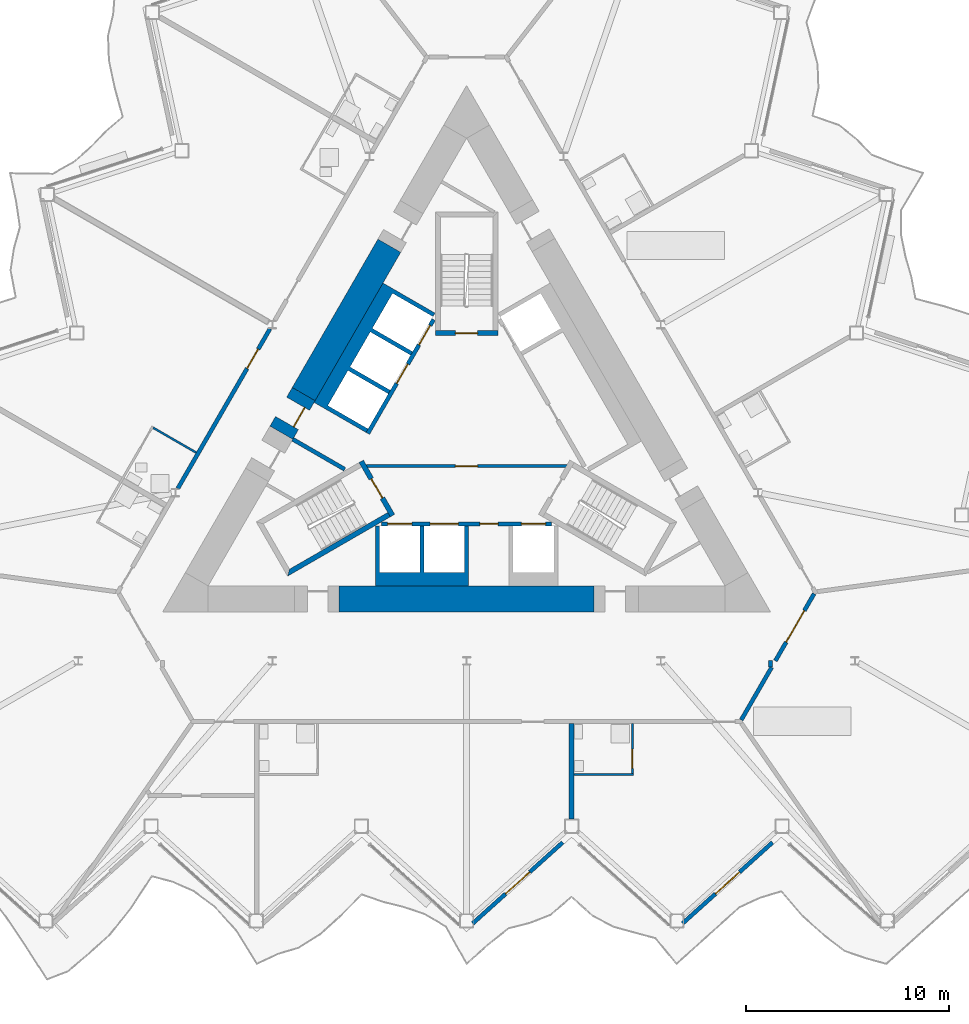
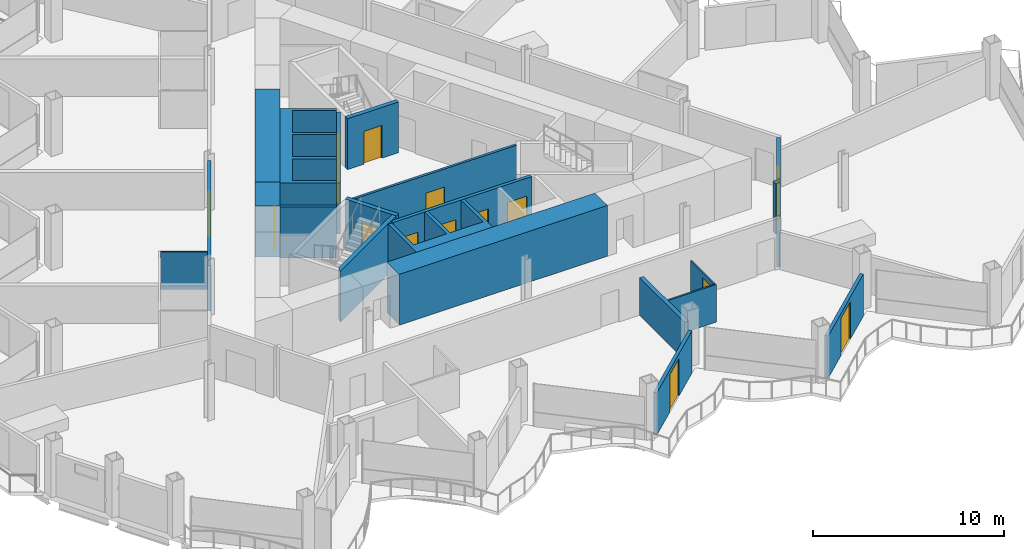
# One storey, part 12 of 23: 22 walls, 15 doors, 15 openings.
"""IFC4 building model written with IfcOpenShell, lengths in metres."""

from ifc_helpers import new_model, si_unit, direction, frame, frame_2d, origin, place, context, subcontext, project, spatial, polyline, rectangle, outline, extrude, material, layer, layer_set, type_object, element, fill, save


model = new_model("IFC4")

# Units and contexts
model_context = context("Model", 3, precision=1e-05, world=origin(), true_north=direction((0.0, 1.0)))
body_context = subcontext(model_context, "Body", "Model", "MODEL_VIEW")
ifc_project = project(units=[si_unit("LENGTHUNIT", "METRE"), si_unit("AREAUNIT", "SQUARE_METRE"), si_unit("VOLUMEUNIT", "CUBIC_METRE"), si_unit("PLANEANGLEUNIT", "RADIAN"), si_unit("MASSUNIT", "GRAM", prefix="KILO")], contexts=[model_context])

# Site, building, storey
site_placement = place(None, origin())
site = spatial("IfcSite", under=ifc_project, at=site_placement, CompositionType="ELEMENT")
building_placement = place(site_placement, origin())
building = spatial("IfcBuilding", under=site, at=building_placement, Name="Cormorant Prow Tower", CompositionType="ELEMENT")
storey_placement = place(building_placement, frame((0.0, 0.0, 245.39990234375)))
storey = spatial("IfcBuildingStorey", under=building, at=storey_placement, Name="L54", CompositionType="ELEMENT", Elevation=245.39990234375)

# Wall, opening, door
ifc_material_1 = material(Name="Gypsum board partition")
ifc_layer_1 = layer(ifc_material_1, 0.14990234375)
ifc_layer_set_1 = layer_set([ifc_layer_1], Name="Gypsum board partition")
wall_type_1 = type_object("IfcWallType", Name="Core partition 150", PredefinedType="PARTITIONING", material=ifc_layer_set_1)
wall_1_placement = place(storey_placement, frame((-4.941162109375, -1.449951171875, 0.0), z_axis=(0.0, 0.0, 1.0), x_axis=(1.0, 0.0, 0.0)))
wall_1 = element("IfcWall", 1, at=wall_1_placement, inside=storey, type_object=wall_type_1, Name="Firefighting lobby partition", PredefinedType="PARTITIONING", context=body_context, shape_type="SweptSolid", body=[
    extrude(rectangle(XDim=9.88232421875, YDim=0.14990234375, at=frame_2d((4.941162109375, 0.0))), origin(), (0.0, 0.0, 1.0), 3.25),
])
opening_1_placement = place(wall_1_placement, frame((4.39111328125, 0.0, 0.0)))
opening_1 = element("IfcOpeningElement", 2, at=opening_1_placement, cuts=wall_1, Name="Opening L54-C09", PredefinedType="OPENING", context=body_context, shape_type="SweptSolid", body=[
    extrude(rectangle(XDim=1.10009765625, YDim=2.10009765625, at=frame_2d((0.550048828125, 1.050048828125))), frame((0.0, 0.0849609375, 0.0), z_axis=(0.0, -1.0, 0.0), x_axis=(1.0, 0.0, 0.0)), (0.0, 0.0, 1.0), 0.169921875),
])
ifc_material_2 = material(Name="Painted steel", Category="steel")
door_type_1 = type_object("IfcDoorType", Name="Firefighting lobby door 1100x2100", OperationType="NOTDEFINED", PredefinedType="DOOR", material=ifc_material_2)
door_1_placement = place(opening_1_placement, origin())
door_1 = element("IfcDoor", 3, at=door_1_placement, inside=storey, type_object=door_type_1, Name="Firefighting lobby door", OperationType="SINGLE_SWING_RIGHT", OverallHeight=2.10009765625, OverallWidth=1.10009765625, PredefinedType="DOOR", context=body_context, shape_type="SweptSolid", body=[
    extrude(rectangle(XDim=1.10009765625, YDim=2.10009765625, at=frame_2d((0.550048828125, 1.050048828125))), frame((0.0, 0.02490234375, 0.0), z_axis=(0.0, -1.0, 0.0), x_axis=(1.0, 0.0, 0.0)), (0.0, 0.0, 1.0), 0.050048828125),
])
fill(opening_1, door_1)

# Walls
ifc_material_3 = material(Name="Concrete 8000 psi", Category="concrete")
ifc_layer_2 = layer(ifc_material_3, 1.300048828125)
ifc_layer_set_2 = layer_set([ifc_layer_2], Name="Concrete 8000 psi")
wall_type_2 = type_object("IfcWallType", Name="Core shear wall 1300", PredefinedType="SHEAR", material=ifc_layer_set_2)
wall_2_placement = place(storey_placement, frame((-6.2880859375, -8.01025390625, 0.0), z_axis=(0.0, 0.0, 1.0), x_axis=(1.0, 0.0, 0.0)))
element("IfcWall", 4, at=wall_2_placement, inside=storey, type_object=wall_type_2, Name="Core wall", PredefinedType="SHEAR", context=body_context, shape_type="SweptSolid", body=[
    extrude(rectangle(XDim=12.576171875, YDim=1.300048828125, at=frame_2d((6.2880859375, 0.0))), origin(), (0.0, 0.0, 1.0), 3.25),
])
wall_3_placement = place(storey_placement, frame((-3.811767578125, 9.41845703125, 0.0), z_axis=(0.0, 0.0, 1.0), x_axis=(-0.499995037753, -0.86602826872, 0.0)))
element("IfcWall", 5, at=wall_3_placement, inside=storey, type_object=wall_type_2, Name="Core wall", PredefinedType="SHEAR", context=body_context, shape_type="SweptSolid", body=[
    extrude(rectangle(XDim=8.45068359375, YDim=1.300048828125, at=frame_2d((4.225341796875, 0.0))), origin(), (0.0, 0.0, 1.0), 3.25),
])

# Wall, opening, door
wall_4_placement = place(storey_placement, frame((-8.037109375, 2.099853515625, 0.0), z_axis=(0.0, 0.0, 1.0), x_axis=(-0.50002983664, -0.866008176907, 0.0)))
wall_4 = element("IfcWall", 6, at=wall_4_placement, inside=storey, type_object=wall_type_2, Name="Core wall door panel", PredefinedType="SHEAR", context=body_context, shape_type="SweptSolid", body=[
    extrude(rectangle(XDim=2.199951171875, YDim=1.300048828125, at=frame_2d((1.10009765625, 0.0))), origin(), (0.0, 0.0, 1.0), 3.25),
])
opening_2_placement = place(wall_4_placement, frame((0.550048828125, 0.0, 0.0)))
opening_2 = element("IfcOpeningElement", 7, at=opening_2_placement, cuts=wall_4, Name="Opening L54-C19", PredefinedType="OPENING", context=body_context, shape_type="SweptSolid", body=[
    extrude(rectangle(XDim=1.10009765625, YDim=2.10009765625, at=frame_2d((0.550048828125, 1.050048828125))), frame((0.0, 0.659912109375, 0.0), z_axis=(0.0, -1.0, 0.0), x_axis=(1.0, 0.0, 0.0)), (0.0, 0.0, 1.0), 1.320068359375),
])
ifc_material_4 = material(Name="Painted steel", Category="steel")
door_type_2 = type_object("IfcDoorType", Name="Core door 1100x2100", OperationType="NOTDEFINED", PredefinedType="DOOR", material=ifc_material_4)
door_2_placement = place(opening_2_placement, origin())
door_2 = element("IfcDoor", 8, at=door_2_placement, inside=storey, type_object=door_type_2, Name="Core door, lift lobby", OperationType="SINGLE_SWING_RIGHT", OverallHeight=2.10009765625, OverallWidth=1.10009765625, PredefinedType="DOOR", context=body_context, shape_type="SweptSolid", body=[
    extrude(rectangle(XDim=1.10009765625, YDim=2.10009765625, at=frame_2d((0.550048828125, 1.050048828125))), frame((0.0, 0.40478515625, 0.0), z_axis=(0.0, -1.0, 0.0), x_axis=(1.0, 0.0, 0.0)), (0.0, 0.0, 1.0), 0.050048828125),
])
fill(opening_2, door_2)

ifc_material_5 = material(Name="Gypsum board corridor wall")
ifc_layer_3 = layer(ifc_material_5, 0.199951171875)
ifc_layer_set_3 = layer_set([ifc_layer_3], Name="Gypsum board corridor wall")
wall_type_3 = type_object("IfcWallType", Name="Corridor wall 200", PredefinedType="PARTITIONING", material=ifc_layer_set_3)
wall_5_placement = place(storey_placement, frame((-14.24658203125, -2.5556640625, 0.0), z_axis=(0.0, 0.0, 1.0), x_axis=(0.49998193945, 0.866035830797, 0.0)))
wall_5 = element("IfcWall", 9, at=wall_5_placement, inside=storey, type_object=wall_type_3, Name="Corridor wall", PredefinedType="PARTITIONING", context=body_context, shape_type="SweptSolid", body=[
    extrude(rectangle(XDim=9.094482421875, YDim=0.199951171875, at=frame_2d((4.54736328125, 0.0))), origin(), (0.0, 0.0, 1.0), 3.25),
])
opening_3_placement = place(wall_5_placement, frame((6.833251953125, 0.0, 0.0)))
opening_3 = element("IfcOpeningElement", 10, at=opening_3_placement, cuts=wall_5, Name="Opening L54-F18", PredefinedType="OPENING", context=body_context, shape_type="SweptSolid", body=[
    extrude(rectangle(XDim=1.10009765625, YDim=2.10009765625, at=frame_2d((0.550048828125, 1.050048828125))), frame((0.0, 0.10986328125, 0.0), z_axis=(0.0, -1.0, 0.0), x_axis=(1.0, 0.0, 0.0)), (0.0, 0.0, 1.0), 0.219970703125),
])
ifc_material_6 = material(Name="Timber door leaf", Category="wood")
door_type_3 = type_object("IfcDoorType", Name="Suite entrance door 1100x2100", OperationType="NOTDEFINED", PredefinedType="DOOR", material=ifc_material_6)
door_3_placement = place(opening_3_placement, origin())
door_3 = element("IfcDoor", 11, at=door_3_placement, inside=storey, type_object=door_type_3, Name="Junior suite door", OperationType="SINGLE_SWING_LEFT", OverallHeight=2.10009765625, OverallWidth=1.10009765625, PredefinedType="DOOR", context=body_context, shape_type="SweptSolid", body=[
    extrude(rectangle(XDim=1.10009765625, YDim=2.10009765625, at=frame_2d((0.550048828125, 1.050048828125))), frame((0.0, 0.02490234375, 0.0), z_axis=(0.0, -1.0, 0.0), x_axis=(1.0, 0.0, 0.0)), (0.0, 0.0, 1.0), 0.050048828125),
])
fill(opening_3, door_3)

wall_6_placement = place(storey_placement, frame((15.23095703125, -11.060302734375, 0.0), z_axis=(0.0, 0.0, 1.0), x_axis=(0.499961815444, 0.866047448526, 0.0)))
wall_6 = element("IfcWall", 12, at=wall_6_placement, inside=storey, type_object=wall_type_3, Name="Corridor wall", PredefinedType="PARTITIONING", context=body_context, shape_type="SweptSolid", body=[
    extrude(rectangle(XDim=3.825927734375, YDim=0.199951171875, at=frame_2d((1.9130859375, 0.0))), origin(), (0.0, 0.0, 1.0), 3.25),
])
opening_4_placement = place(wall_6_placement, frame((1.06396484375, 0.0, 0.0)))
opening_4 = element("IfcOpeningElement", 13, at=opening_4_placement, cuts=wall_6, Name="Opening L54-F07", PredefinedType="OPENING", context=body_context, shape_type="SweptSolid", body=[
    extrude(rectangle(XDim=1.800048828125, YDim=2.10009765625, at=frame_2d((0.89990234375, 1.050048828125))), frame((0.0, 0.10986328125, 0.0), z_axis=(0.0, -1.0, 0.0), x_axis=(1.0, 0.0, 0.0)), (0.0, 0.0, 1.0), 0.219970703125),
])
ifc_material_7 = material(Name="Timber door leaf", Category="wood")
door_type_4 = type_object("IfcDoorType", Name="Double door 1800x2100", OperationType="DOUBLE_DOOR_SINGLE_SWING", PredefinedType="DOOR", material=ifc_material_7)
door_4_placement = place(opening_4_placement, origin())
door_4 = element("IfcDoor", 14, at=door_4_placement, inside=storey, type_object=door_type_4, Name="Co-working space door", OperationType="DOUBLE_DOOR_SINGLE_SWING", OverallHeight=2.10009765625, OverallWidth=1.800048828125, PredefinedType="DOOR", context=body_context, shape_type="SweptSolid", body=[
    extrude(rectangle(XDim=1.800048828125, YDim=2.10009765625, at=frame_2d((0.89990234375, 1.050048828125))), frame((0.0, 0.02490234375, 0.0), z_axis=(0.0, -1.0, 0.0), x_axis=(1.0, 0.0, 0.0)), (0.0, 0.0, 1.0), 0.050048828125),
])
fill(opening_4, door_4)

# Walls
wall_7_placement = place(storey_placement, frame((13.548828125, -13.9736328125, 0.0), z_axis=(0.0, 0.0, 1.0), x_axis=(0.500048608389, 0.865997337899, 0.0)))
element("IfcWall", 15, at=wall_7_placement, inside=storey, type_object=wall_type_3, Name="Corridor wall", PredefinedType="PARTITIONING", context=body_context, shape_type="SweptSolid", body=[
    extrude(rectangle(XDim=3.002197265625, YDim=0.199951171875, at=frame_2d((1.5009765625, 0.0))), origin(), (0.0, 0.0, 1.0), 3.25),
])
wall_8_placement = place(storey_placement, frame((15.0, -11.3603515625, 0.0), z_axis=(0.0, 0.0, 1.0), x_axis=(0.0, 1.0, 0.0)))
element("IfcWall", 16, at=wall_8_placement, inside=storey, type_object=wall_type_3, Name="Corridor wall", PredefinedType="PARTITIONING", context=body_context, shape_type="SweptSolid", body=[
    extrude(rectangle(XDim=0.31005859375, YDim=0.199951171875, at=frame_2d((0.155029296875, 0.0))), origin(), (0.0, 0.0, 1.0), 3.25),
])
ifc_material_8 = material(Name="Gypsum board partition")
ifc_layer_4 = layer(ifc_material_8, 0.10009765625)
ifc_layer_set_4 = layer_set([ifc_layer_4], Name="Gypsum board partition")
wall_type_4 = type_object("IfcWallType", Name="Internal partition 100", PredefinedType="PARTITIONING", material=ifc_layer_set_4)
wall_9_placement = place(storey_placement, frame((5.30078125, -16.660400390625, 0.0), z_axis=(0.0, 0.0, 1.0), x_axis=(1.0, 0.0, 0.0)))
element("IfcWall", 17, at=wall_9_placement, inside=storey, type_object=wall_type_4, Name="Internal partition", PredefinedType="PARTITIONING", context=body_context, shape_type="SweptSolid", body=[
    extrude(rectangle(XDim=2.9248046875, YDim=0.10009765625, at=frame_2d((1.46240234375, 0.0))), origin(), (0.0, 0.0, 1.0), 2.404296875),
])
wall_10_placement = place(storey_placement, frame((-15.46240234375, 0.438720703125, 0.0), z_axis=(0.0, 0.0, 1.0), x_axis=(0.865989751695, -0.500061746146, 0.0)))
element("IfcWall", 18, at=wall_10_placement, inside=storey, type_object=wall_type_4, Name="Internal partition", PredefinedType="PARTITIONING", context=body_context, shape_type="SweptSolid", body=[
    extrude(rectangle(XDim=2.449951171875, YDim=0.10009765625, at=frame_2d((1.22509765625, 0.0))), origin(), (0.0, 0.0, 1.0), 2.404296875),
])

# Wall, opening, door
wall_11_placement = place(storey_placement, frame((8.17578125, -16.6103515625, 0.0), z_axis=(0.0, 0.0, 1.0), x_axis=(0.0, 1.0, 0.0)))
wall_11 = element("IfcWall", 19, at=wall_11_placement, inside=storey, type_object=wall_type_4, Name="Internal partition", PredefinedType="PARTITIONING", context=body_context, shape_type="SweptSolid", body=[
    extrude(rectangle(XDim=2.449951171875, YDim=0.10009765625, at=frame_2d((1.22509765625, 0.0))), origin(), (0.0, 0.0, 1.0), 2.404296875),
])
opening_5_placement = place(wall_11_placement, frame((0.25, 0.0, 0.0)))
opening_5 = element("IfcOpeningElement", 20, at=opening_5_placement, cuts=wall_11, Name="Opening L54-F06", PredefinedType="OPENING", context=body_context, shape_type="SweptSolid", body=[
    extrude(rectangle(XDim=0.949951171875, YDim=2.10009765625, at=frame_2d((0.47509765625, 1.050048828125))), frame((0.0, 0.06005859375, 0.0), z_axis=(0.0, -1.0, 0.0), x_axis=(1.0, 0.0, 0.0)), (0.0, 0.0, 1.0), 0.1201171875),
])
ifc_material_9 = material(Name="Timber door leaf", Category="wood")
door_type_5 = type_object("IfcDoorType", Name="Bathroom door 950x2100", OperationType="NOTDEFINED", PredefinedType="DOOR", material=ifc_material_9)
door_5_placement = place(opening_5_placement, origin())
door_5 = element("IfcDoor", 21, at=door_5_placement, inside=storey, type_object=door_type_5, Name="Executive suite bedroom door", OperationType="SINGLE_SWING_LEFT", OverallHeight=2.10009765625, OverallWidth=0.949951171875, PredefinedType="DOOR", context=body_context, shape_type="SweptSolid", body=[
    extrude(rectangle(XDim=0.949951171875, YDim=2.10009765625, at=frame_2d((0.47509765625, 1.050048828125))), frame((0.0, 0.02490234375, 0.0), z_axis=(0.0, -1.0, 0.0), x_axis=(1.0, 0.0, 0.0)), (0.0, 0.0, 1.0), 0.050048828125),
])
fill(opening_5, door_5)

# Wall, openings, doors
ifc_material_10 = material(Name="Concrete 5000 psi", Category="concrete")
ifc_layer_5 = layer(ifc_material_10, 0.199951171875)
ifc_layer_set_5 = layer_set([ifc_layer_5], Name="Concrete 5000 psi")
wall_type_5 = type_object("IfcWallType", Name="Lift lobby wall 200", PredefinedType="SOLIDWALL", material=ifc_layer_set_5)
wall_12_placement = place(storey_placement, frame((-4.1865234375, -4.300048828125, 0.0), z_axis=(0.0, 0.0, 1.0), x_axis=(1.0, 0.0, 0.0)))
wall_12 = element("IfcWall", 22, at=wall_12_placement, inside=storey, type_object=wall_type_5, Name="Lift lobby wall, S block", PredefinedType="SOLIDWALL", context=body_context, shape_type="SweptSolid", body=[
    extrude(rectangle(XDim=8.373046875, YDim=0.199951171875, at=frame_2d((4.1865234375, 0.0))), origin(), (0.0, 0.0, 1.0), 3.25),
])
opening_6_placement = place(wall_12_placement, frame((0.28662109375, 0.0, 0.0)))
opening_6 = element("IfcOpeningElement", 23, at=opening_6_placement, cuts=wall_12, Name="Opening L54-C01", PredefinedType="OPENING", context=body_context, shape_type="SweptSolid", body=[
    extrude(rectangle(XDim=1.199951171875, YDim=2.10009765625, at=frame_2d((0.60009765625, 1.050048828125))), frame((0.0, 0.10986328125, 0.0), z_axis=(0.0, -1.0, 0.0), x_axis=(1.0, 0.0, 0.0)), (0.0, 0.0, 1.0), 0.219970703125),
])
opening_7_placement = place(wall_12_placement, frame((2.38671875, 0.0, 0.0)))
opening_7 = element("IfcOpeningElement", 24, at=opening_7_placement, cuts=wall_12, Name="Opening L54-C02", PredefinedType="OPENING", context=body_context, shape_type="SweptSolid", body=[
    extrude(rectangle(XDim=1.39990234375, YDim=2.10009765625, at=frame_2d((0.699951171875, 1.050048828125))), frame((0.0, 0.10986328125, 0.0), z_axis=(0.0, -1.0, 0.0), x_axis=(1.0, 0.0, 0.0)), (0.0, 0.0, 1.0), 0.219970703125),
])
opening_8_placement = place(wall_12_placement, frame((4.836669921875, 0.0, 0.0)))
opening_8 = element("IfcOpeningElement", 25, at=opening_8_placement, cuts=wall_12, Name="Opening L54-C03", PredefinedType="OPENING", context=body_context, shape_type="SweptSolid", body=[
    extrude(rectangle(XDim=0.89990234375, YDim=2.10009765625, at=frame_2d((0.449951171875, 1.050048828125))), frame((0.0, 0.10986328125, 0.0), z_axis=(0.0, -1.0, 0.0), x_axis=(1.0, 0.0, 0.0)), (0.0, 0.0, 1.0), 0.219970703125),
])
opening_9_placement = place(wall_12_placement, frame((6.88671875, 0.0, 0.0)))
opening_9 = element("IfcOpeningElement", 26, at=opening_9_placement, cuts=wall_12, Name="Opening L54-C04", PredefinedType="OPENING", context=body_context, shape_type="SweptSolid", body=[
    extrude(rectangle(XDim=1.199951171875, YDim=2.10009765625, at=frame_2d((0.60009765625, 1.050048828125))), frame((0.0, 0.10986328125, 0.0), z_axis=(0.0, -1.0, 0.0), x_axis=(1.0, 0.0, 0.0)), (0.0, 0.0, 1.0), 0.219970703125),
])
ifc_material_11 = material(Name="Painted steel", Category="steel")
door_type_6 = type_object("IfcDoorType", Name="Firefighting lift landing door 1200x2100", OperationType="SLIDING_TO_LEFT", PredefinedType="DOOR", material=ifc_material_11)
door_6_placement = place(opening_6_placement, origin())
door_6 = element("IfcDoor", 27, at=door_6_placement, inside=storey, type_object=door_type_6, Name="Landing door FL1", OperationType="SLIDING_TO_LEFT", OverallHeight=2.10009765625, OverallWidth=1.199951171875, PredefinedType="DOOR", context=body_context, shape_type="SweptSolid", body=[
    extrude(rectangle(XDim=1.199951171875, YDim=2.10009765625, at=frame_2d((0.60009765625, 1.050048828125))), frame((0.0, 0.02490234375, 0.0), z_axis=(0.0, -1.0, 0.0), x_axis=(1.0, 0.0, 0.0)), (0.0, 0.0, 1.0), 0.050048828125),
])
fill(opening_6, door_6)
door_7_placement = place(opening_9_placement, origin())
door_7 = element("IfcDoor", 28, at=door_7_placement, inside=storey, type_object=door_type_6, Name="Landing door FL2", OperationType="SLIDING_TO_LEFT", OverallHeight=2.10009765625, OverallWidth=1.199951171875, PredefinedType="DOOR", context=body_context, shape_type="SweptSolid", body=[
    extrude(rectangle(XDim=1.199951171875, YDim=2.10009765625, at=frame_2d((0.60009765625, 1.050048828125))), frame((0.0, 0.02490234375, 0.0), z_axis=(0.0, -1.0, 0.0), x_axis=(1.0, 0.0, 0.0)), (0.0, 0.0, 1.0), 0.050048828125),
])
fill(opening_9, door_7)
ifc_material_12 = material(Name="Painted steel", Category="steel")
door_type_7 = type_object("IfcDoorType", Name="Service door 900x2100", OperationType="NOTDEFINED", PredefinedType="DOOR", material=ifc_material_12)
door_8_placement = place(opening_8_placement, origin())
door_8 = element("IfcDoor", 29, at=door_8_placement, inside=storey, type_object=door_type_7, Name="Service door, Telecom room", OperationType="SINGLE_SWING_RIGHT", OverallHeight=2.10009765625, OverallWidth=0.89990234375, PredefinedType="DOOR", context=body_context, shape_type="SweptSolid", body=[
    extrude(rectangle(XDim=0.89990234375, YDim=2.10009765625, at=frame_2d((0.449951171875, 1.050048828125))), frame((0.0, 0.02490234375, 0.0), z_axis=(0.0, -1.0, 0.0), x_axis=(1.0, 0.0, 0.0)), (0.0, 0.0, 1.0), 0.050048828125),
])
fill(opening_8, door_8)
ifc_material_13 = material(Name="Painted steel", Category="steel")
door_type_8 = type_object("IfcDoorType", Name="Service lift landing door 1400x2100", OperationType="SLIDING_TO_LEFT", PredefinedType="DOOR", material=ifc_material_13)
door_9_placement = place(opening_7_placement, origin())
door_9 = element("IfcDoor", 30, at=door_9_placement, inside=storey, type_object=door_type_8, Name="Landing door SL1", OperationType="SLIDING_TO_LEFT", OverallHeight=2.10009765625, OverallWidth=1.39990234375, PredefinedType="DOOR", context=body_context, shape_type="SweptSolid", body=[
    extrude(rectangle(XDim=1.39990234375, YDim=2.10009765625, at=frame_2d((0.699951171875, 1.050048828125))), frame((0.0, 0.02490234375, 0.0), z_axis=(0.0, -1.0, 0.0), x_axis=(1.0, 0.0, 0.0)), (0.0, 0.0, 1.0), 0.050048828125),
])
fill(opening_7, door_9)

wall_13_placement = place(storey_placement, frame((-1.630615234375, 5.775634765625, 0.0), z_axis=(0.0, 0.0, 1.0), x_axis=(-0.499992876559, -0.866029516466, 0.0)))
wall_13 = element("IfcWall", 31, at=wall_13_placement, inside=storey, type_object=wall_type_5, Name="Lift lobby wall, WNW block", PredefinedType="SOLIDWALL", context=body_context, shape_type="SweptSolid", body=[
    extrude(rectangle(XDim=6.486328125, YDim=0.199951171875, at=frame_2d((3.2431640625, 0.0))), origin(), (0.0, 0.0, 1.0), 3.25),
])
opening_10_placement = place(wall_13_placement, frame((0.336669921875, 0.0, 0.0)))
opening_10 = element("IfcOpeningElement", 32, at=opening_10_placement, cuts=wall_13, Name="Opening L54-C07", PredefinedType="OPENING", context=body_context, shape_type="SweptSolid", body=[
    extrude(rectangle(XDim=1.10009765625, YDim=2.10009765625, at=frame_2d((0.550048828125, 1.050048828125))), frame((0.0, 0.10986328125, 0.0), z_axis=(0.0, -1.0, 0.0), x_axis=(1.0, 0.0, 0.0)), (0.0, 0.0, 1.0), 0.219970703125),
])
opening_11_placement = place(wall_13_placement, frame((2.53662109375, 0.0, 0.0)))
opening_11 = element("IfcOpeningElement", 33, at=opening_11_placement, cuts=wall_13, Name="Opening L54-C08", PredefinedType="OPENING", context=body_context, shape_type="SweptSolid", body=[
    extrude(rectangle(XDim=1.10009765625, YDim=2.10009765625, at=frame_2d((0.550048828125, 1.050048828125))), frame((0.0, 0.10986328125, 0.0), z_axis=(0.0, -1.0, 0.0), x_axis=(1.0, 0.0, 0.0)), (0.0, 0.0, 1.0), 0.219970703125),
])
ifc_material_14 = material(Name="Painted steel", Category="steel")
door_type_9 = type_object("IfcDoorType", Name="Lift landing door 1100x2100", OperationType="SLIDING_TO_LEFT", PredefinedType="DOOR", material=ifc_material_14)
door_10_placement = place(opening_10_placement, origin())
door_10 = element("IfcDoor", 34, at=door_10_placement, inside=storey, type_object=door_type_9, Name="Landing door MR2", OperationType="SLIDING_TO_LEFT", OverallHeight=2.10009765625, OverallWidth=1.10009765625, PredefinedType="DOOR", context=body_context, shape_type="SweptSolid", body=[
    extrude(rectangle(XDim=1.10009765625, YDim=2.10009765625, at=frame_2d((0.550048828125, 1.050048828125))), frame((0.0, 0.02490234375, 0.0), z_axis=(0.0, -1.0, 0.0), x_axis=(1.0, 0.0, 0.0)), (0.0, 0.0, 1.0), 0.050048828125),
])
fill(opening_10, door_10)
door_11_placement = place(opening_11_placement, origin())
door_11 = element("IfcDoor", 35, at=door_11_placement, inside=storey, type_object=door_type_9, Name="Landing door MR3", OperationType="SLIDING_TO_LEFT", OverallHeight=2.10009765625, OverallWidth=1.10009765625, PredefinedType="DOOR", context=body_context, shape_type="SweptSolid", body=[
    extrude(rectangle(XDim=1.10009765625, YDim=2.10009765625, at=frame_2d((0.550048828125, 1.050048828125))), frame((0.0, 0.02490234375, 0.0), z_axis=(0.0, -1.0, 0.0), x_axis=(1.0, 0.0, 0.0)), (0.0, 0.0, 1.0), 0.050048828125),
])
fill(opening_11, door_11)

# Walls
ifc_material_15 = material(Name="Concrete 8000 psi", Category="concrete")
ifc_layer_6 = layer(ifc_material_15, 0.199951171875)
ifc_layer_set_6 = layer_set([ifc_layer_6], Name="Concrete 8000 psi")
wall_type_6 = type_object("IfcWallType", Name="Lift shaft wall 200", PredefinedType="SHEAR", material=ifc_layer_set_6)
wall_14_placement = place(storey_placement, origin())
element("IfcWall", 36, at=wall_14_placement, inside=storey, type_object=wall_type_6, Name="Lift shaft walls, S block", PredefinedType="SHEAR", context=body_context, shape_type="SweptSolid", body=[
    extrude(outline(polyline([(0.10009765625, -7.3603515625), (-4.5, -7.3603515625), (-4.5, -4.39990234375), (-4.300048828125, -4.39990234375), (-4.300048828125, -6.699951171875), (-2.300048828125, -6.699951171875), (-2.300048828125, -4.39990234375), (-2.10009765625, -4.39990234375), (-2.10009765625, -6.699951171875), (-0.10009765625, -6.699951171875), (-0.10009765625, -4.39990234375), (0.10009765625, -4.39990234375), (0.10009765625, -7.3603515625)])), origin(), (0.0, 0.0, 1.0), 3.25),
])
wall_15_placement = place(storey_placement, origin())
element("IfcWall", 37, at=wall_15_placement, inside=storey, type_object=wall_type_6, Name="Lift shaft walls, WNW block", PredefinedType="SHEAR", context=body_context, shape_type="SweptSolid", body=[
    extrude(outline(polyline([(-7.524169921875, 1.688232421875), (-4.124267578125, 7.5771484375), (-3.730712890625, 7.35009765625), (-1.560546875, 6.09716796875), (-1.660400390625, 5.923828125), (-3.65234375, 7.073974609375), (-4.65234375, 5.341796875), (-2.660400390625, 4.19189453125), (-2.760498046875, 4.018798828125), (-4.75244140625, 5.168701171875), (-5.75244140625, 3.4365234375), (-3.760498046875, 2.28662109375), (-3.860595703125, 2.11328125), (-5.852294921875, 3.263427734375), (-6.852294921875, 1.53125), (-4.860595703125, 0.38134765625), (-4.96044921875, 0.2080078125), (-7.130859375, 1.461181640625), (-7.524169921875, 1.688232421875)])), origin(), (0.0, 0.0, 1.0), 3.25),
])
wall_16_placement = place(storey_placement, origin())
element("IfcWall", 38, at=wall_16_placement, inside=storey, type_object=wall_type_6, Name="Lift shaft walls, WNW block", PredefinedType="SHEAR", context=body_context, shape_type="SweptSolid", body=[
    extrude(outline(polyline([(-8.524169921875, -0.043701171875), (-8.130859375, -0.27099609375), (-5.96044921875, -1.52392578125), (-6.060546875, -1.697021484375), (-8.230712890625, -0.444091796875), (-8.624267578125, -0.217041015625), (-8.524169921875, -0.043701171875)])), origin(), (0.0, 0.0, 1.0), 3.25),
])
ifc_material_16 = material(Name="Concrete 8000 psi", Category="concrete")
ifc_layer_7 = layer(ifc_material_16, 0.25)
ifc_layer_set_7 = layer_set([ifc_layer_7], Name="Concrete 8000 psi")
wall_type_7 = type_object("IfcWallType", Name="Stair wall 250", PredefinedType="SHEAR", material=ifc_layer_set_7)
wall_17_placement = place(storey_placement, origin())
element("IfcWall", 39, at=wall_17_placement, inside=storey, type_object=wall_type_7, Name="Stair ST1 enclosure wall (flank)", PredefinedType="SHEAR", context=body_context, shape_type="SweptSolid", body=[
    extrude(outline(polyline([(-8.738037109375, -6.5390625), (-8.82958984375, -6.880615234375), (-3.76318359375, -3.95556640625), (-3.88818359375, -3.739013671875), (-8.738037109375, -6.5390625)])), origin(), (0.0, 0.0, 1.0), 3.25),
])

# Wall, opening, door
wall_18_placement = place(storey_placement, frame((-5.198974609375, -1.21875, 0.0), z_axis=(0.0, 0.0, 1.0), x_axis=(0.499982516597, -0.866035497597, 0.0)))
wall_18 = element("IfcWall", 40, at=wall_18_placement, inside=storey, type_object=wall_type_7, Name="Stair ST1 door wall", PredefinedType="SHEAR", context=body_context, shape_type="SweptSolid", body=[
    extrude(rectangle(XDim=3.087890625, YDim=0.25, at=frame_2d((1.5439453125, 0.0))), origin(), (0.0, 0.0, 1.0), 3.25),
])
opening_12_placement = place(wall_18_placement, frame((0.993896484375, 0.0, 0.0)))
opening_12 = element("IfcOpeningElement", 41, at=opening_12_placement, cuts=wall_18, Name="Opening L54-C10", PredefinedType="OPENING", context=body_context, shape_type="SweptSolid", body=[
    extrude(rectangle(XDim=1.10009765625, YDim=2.10009765625, at=frame_2d((0.550048828125, 1.050048828125))), frame((0.0, 0.135009765625, 0.0), z_axis=(0.0, -1.0, 0.0), x_axis=(1.0, 0.0, 0.0)), (0.0, 0.0, 1.0), 0.27001953125),
])
ifc_material_17 = material(Name="Painted steel", Category="steel")
door_type_10 = type_object("IfcDoorType", Name="Stair door 1100x2100", OperationType="NOTDEFINED", PredefinedType="DOOR", material=ifc_material_17)
door_12_placement = place(opening_12_placement, origin())
door_12 = element("IfcDoor", 42, at=door_12_placement, inside=storey, type_object=door_type_10, Name="Stair ST1 door", OperationType="SINGLE_SWING_LEFT", OverallHeight=2.10009765625, OverallWidth=1.10009765625, PredefinedType="DOOR", context=body_context, shape_type="SweptSolid", body=[
    extrude(rectangle(XDim=1.10009765625, YDim=2.10009765625, at=frame_2d((0.550048828125, 1.050048828125))), frame((0.0, 0.02490234375, 0.0), z_axis=(0.0, -1.0, 0.0), x_axis=(1.0, 0.0, 0.0)), (0.0, 0.0, 1.0), 0.050048828125),
])
fill(opening_12, door_12)

wall_19_placement = place(storey_placement, frame((1.5439453125, 5.11181640625, 0.0), z_axis=(0.0, 0.0, 1.0), x_axis=(-1.0, 0.0, 0.0)))
wall_19 = element("IfcWall", 43, at=wall_19_placement, inside=storey, type_object=wall_type_7, Name="Stair ST3 door wall", PredefinedType="SHEAR", context=body_context, shape_type="SweptSolid", body=[
    extrude(rectangle(XDim=3.087890625, YDim=0.25, at=frame_2d((1.5439453125, 0.0))), origin(), (0.0, 0.0, 1.0), 3.25),
])
opening_13_placement = place(wall_19_placement, frame((0.993896484375, 0.0, 0.0)))
opening_13 = element("IfcOpeningElement", 44, at=opening_13_placement, cuts=wall_19, Name="Opening L54-C12", PredefinedType="OPENING", context=body_context, shape_type="SweptSolid", body=[
    extrude(rectangle(XDim=1.10009765625, YDim=2.10009765625, at=frame_2d((0.550048828125, 1.050048828125))), frame((0.0, 0.135009765625, 0.0), z_axis=(0.0, -1.0, 0.0), x_axis=(1.0, 0.0, 0.0)), (0.0, 0.0, 1.0), 0.27001953125),
])
door_13_placement = place(opening_13_placement, origin())
door_13 = element("IfcDoor", 45, at=door_13_placement, inside=storey, type_object=door_type_10, Name="Stair ST3 door", OperationType="SINGLE_SWING_RIGHT", OverallHeight=2.10009765625, OverallWidth=1.10009765625, PredefinedType="DOOR", context=body_context, shape_type="SweptSolid", body=[
    extrude(rectangle(XDim=1.10009765625, YDim=2.10009765625, at=frame_2d((0.550048828125, 1.050048828125))), frame((0.0, 0.02490234375, 0.0), z_axis=(0.0, -1.0, 0.0), x_axis=(1.0, 0.0, 0.0)), (0.0, 0.0, 1.0), 0.050048828125),
])
fill(opening_13, door_13)

# Wall
ifc_material_18 = material(Name="Acoustic gypsum party wall")
ifc_layer_8 = layer(ifc_material_18, 0.25)
ifc_layer_set_8 = layer_set([ifc_layer_8], Name="Acoustic gypsum party wall")
wall_type_8 = type_object("IfcWallType", Name="Suite party wall 250", PredefinedType="PARTITIONING", material=ifc_layer_set_8)
wall_20_placement = place(storey_placement, frame((5.17578125, -18.85546875, 0.0), z_axis=(0.0, 0.0, 1.0), x_axis=(0.0, 1.0, 0.0)))
element("IfcWall", 46, at=wall_20_placement, inside=storey, type_object=wall_type_8, Name="Suite party wall", PredefinedType="PARTITIONING", context=body_context, shape_type="SweptSolid", body=[
    extrude(rectangle(XDim=4.695068359375, YDim=0.25, at=frame_2d((2.34765625, 0.0))), origin(), (0.0, 0.0, 1.0), 2.404296875),
])

# Wall, opening, door
ifc_material_19 = material(Name="Terracotta", Category="masonry")
ifc_layer_9 = layer(ifc_material_19, 0.199951171875)
ifc_layer_set_9 = layer_set([ifc_layer_9], Name="Terracotta")
wall_type_9 = type_object("IfcWallType", Name="Terracotta jamb wall 200", PredefinedType="SOLIDWALL", material=ifc_layer_set_9)
wall_21_placement = place(storey_placement, frame((0.305419921875, -24.0087890625, 0.0), z_axis=(0.0, 0.0, 1.0), x_axis=(0.74315161366, 0.669123067241, 0.0)))
wall_21 = element("IfcWall", 47, at=wall_21_placement, inside=storey, type_object=wall_type_9, Name="Terracotta jamb wall S05", PredefinedType="SOLIDWALL", context=body_context, shape_type="SweptSolid", body=[
    extrude(rectangle(XDim=5.962646484375, YDim=0.199951171875, at=frame_2d((2.9814453125, 0.0))), origin(), (0.0, 0.0, 1.0), 2.700927734375),
])
opening_14_placement = place(wall_21_placement, frame((2.181396484375, 0.0, 0.0)))
opening_14 = element("IfcOpeningElement", 48, at=opening_14_placement, cuts=wall_21, Name="Opening ED54.03", PredefinedType="OPENING", context=body_context, shape_type="SweptSolid", body=[
    extrude(rectangle(XDim=1.60009765625, YDim=2.39990234375, at=frame_2d((0.800048828125, 1.199951171875))), frame((0.0, 0.10986328125, 0.0), z_axis=(0.0, -1.0, 0.0), x_axis=(1.0, 0.0, 0.0)), (0.0, 0.0, 1.0), 0.219970703125),
])
ifc_material_20 = material(Name="Aluminium 6063-T6", Category="aluminium")
door_type_11 = type_object("IfcDoorType", Name="Balcony door 1600x2400", OperationType="DOUBLE_DOOR_SINGLE_SWING", PredefinedType="DOOR", material=ifc_material_20)
door_14_placement = place(opening_14_placement, origin())
door_14 = element("IfcDoor", 49, at=door_14_placement, inside=storey, type_object=door_type_11, Name="Balcony door S05 ED54.03", OperationType="DOUBLE_DOOR_SINGLE_SWING", OverallHeight=2.39990234375, OverallWidth=1.60009765625, PredefinedType="DOOR", context=body_context, shape_type="SweptSolid", body=[
    extrude(rectangle(XDim=1.60009765625, YDim=2.39990234375, at=frame_2d((0.800048828125, 1.199951171875))), frame((0.0, 0.02490234375, 0.0), z_axis=(0.0, -1.0, 0.0), x_axis=(1.0, 0.0, 0.0)), (0.0, 0.0, 1.0), 0.050048828125),
])
fill(opening_14, door_14)

wall_22_placement = place(storey_placement, frame((10.65673828125, -24.0087890625, 0.0), z_axis=(0.0, 0.0, 1.0), x_axis=(0.74315161366, 0.669123067241, 0.0)))
wall_22 = element("IfcWall", 50, at=wall_22_placement, inside=storey, type_object=wall_type_9, Name="Terracotta jamb wall S07", PredefinedType="SOLIDWALL", context=body_context, shape_type="SweptSolid", body=[
    extrude(rectangle(XDim=5.962646484375, YDim=0.199951171875, at=frame_2d((2.9814453125, 0.0))), origin(), (0.0, 0.0, 1.0), 2.700927734375),
])
opening_15_placement = place(wall_22_placement, frame((2.181396484375, 0.0, 0.0)))
opening_15 = element("IfcOpeningElement", 51, at=opening_15_placement, cuts=wall_22, Name="Opening ED54.04", PredefinedType="OPENING", context=body_context, shape_type="SweptSolid", body=[
    extrude(rectangle(XDim=1.60009765625, YDim=2.39990234375, at=frame_2d((0.800048828125, 1.199951171875))), frame((0.0, 0.10986328125, 0.0), z_axis=(0.0, -1.0, 0.0), x_axis=(1.0, 0.0, 0.0)), (0.0, 0.0, 1.0), 0.219970703125),
])
door_15_placement = place(opening_15_placement, origin())
door_15 = element("IfcDoor", 52, at=door_15_placement, inside=storey, type_object=door_type_11, Name="Balcony door S07 ED54.04", OperationType="DOUBLE_DOOR_SINGLE_SWING", OverallHeight=2.39990234375, OverallWidth=1.60009765625, PredefinedType="DOOR", context=body_context, shape_type="SweptSolid", body=[
    extrude(rectangle(XDim=1.60009765625, YDim=2.39990234375, at=frame_2d((0.800048828125, 1.199951171875))), frame((0.0, 0.02490234375, 0.0), z_axis=(0.0, -1.0, 0.0), x_axis=(1.0, 0.0, 0.0)), (0.0, 0.0, 1.0), 0.050048828125),
])
fill(opening_15, door_15)

save(model, "model.ifc")
